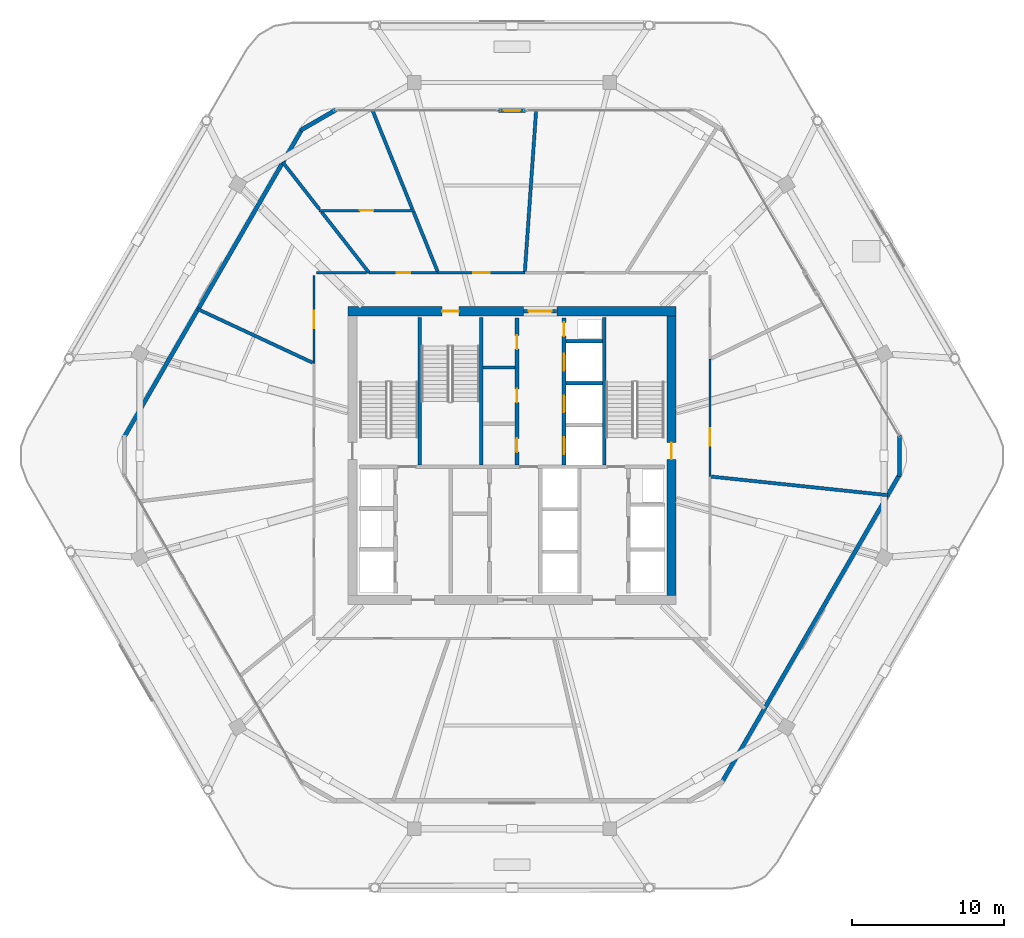
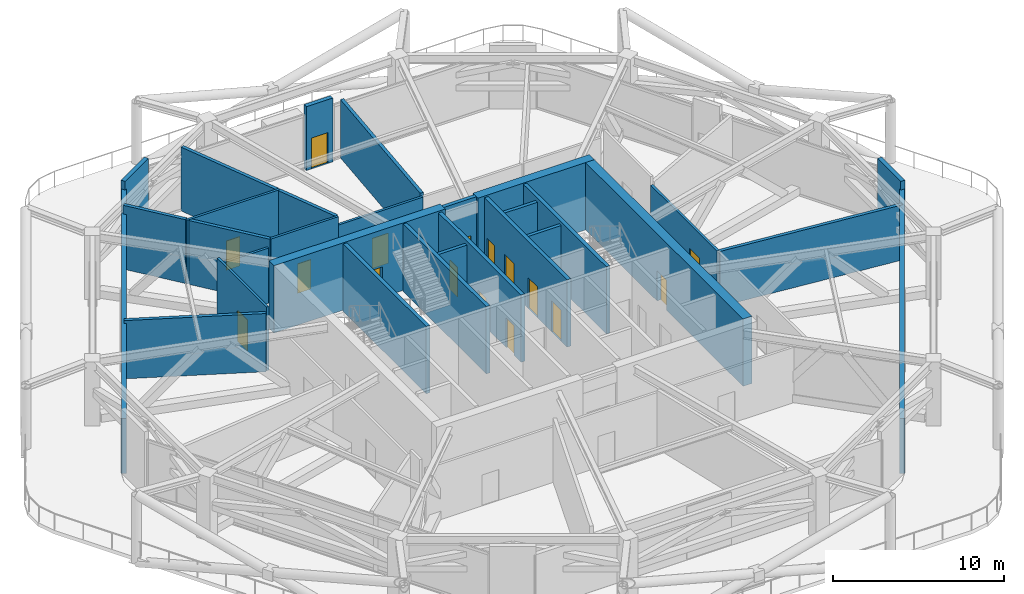
# One storey, part 14 of 20: 30 walls, 16 doors, 16 openings.
"""IFC4 building model written with IfcOpenShell, lengths in metres."""

from ifc_helpers import new_model, si_unit, direction, frame, frame_2d, origin, place, context, subcontext, project, spatial, rectangle, extrude, material, layer, layer_set, type_object, element, fill, save


model = new_model("IFC4")

# Units and contexts
model_context = context("Model", 3, precision=1e-05, world=origin(), true_north=direction((0.0, 1.0)))
body_context = subcontext(model_context, "Body", "Model", "MODEL_VIEW")
ifc_project = project(units=[si_unit("LENGTHUNIT", "METRE"), si_unit("AREAUNIT", "SQUARE_METRE"), si_unit("VOLUMEUNIT", "CUBIC_METRE"), si_unit("PLANEANGLEUNIT", "RADIAN"), si_unit("MASSUNIT", "GRAM", prefix="KILO")], contexts=[model_context])

# Site, building, storey
site_placement = place(None, origin())
site = spatial("IfcSite", under=ifc_project, at=site_placement, CompositionType="ELEMENT")
building_placement = place(site_placement, origin())
building = spatial("IfcBuilding", under=site, at=building_placement, Name="Zuhravey Tower", CompositionType="ELEMENT")
storey_placement = place(building_placement, frame((0.0, 0.0, 226.39990234375)))
storey = spatial("IfcBuildingStorey", under=building, at=storey_placement, Name="L57", CompositionType="ELEMENT", Elevation=226.39990234375)

# Wall
ifc_material_1 = material(Name="Concrete C50/60", Category="concrete")
ifc_layer_1 = layer(ifc_material_1, 0.60009765625)
ifc_layer_set_1 = layer_set([ifc_layer_1], Name="Concrete C50/60")
wall_type_1 = type_object("IfcWallType", Name="Core Shear Wall 600", PredefinedType="SHEAR", material=ifc_layer_set_1)
wall_1_placement = place(storey_placement, frame((46.800048828125, 41.5, 0.0), z_axis=(0.0, 0.0, 1.0), x_axis=(-1.0, 0.0, 0.0)))
element("IfcWall", 1, at=wall_1_placement, inside=storey, type_object=wall_type_1, Name="L57 North-East Core Shear Wall CW60", PredefinedType="SHEAR", context=body_context, shape_type="SweptSolid", body=[
    extrude(rectangle(XDim=7.85009765625, YDim=0.60009765625, at=frame_2d((3.925048828125, 0.0))), origin(), (0.0, 0.0, 1.0), 4.800048828125),
])

# Wall, opening, door
wall_2_placement = place(storey_placement, frame((36.75, 41.5, 0.0), z_axis=(0.0, 0.0, 1.0), x_axis=(-1.0, 0.0, 0.0)))
wall_2 = element("IfcWall", 2, at=wall_2_placement, inside=storey, type_object=wall_type_1, Name="L57 North-West Core Shear Wall CW60", PredefinedType="SHEAR", context=body_context, shape_type="SweptSolid", body=[
    extrude(rectangle(XDim=11.550048828125, YDim=0.60009765625, at=frame_2d((5.77490234375, 0.0))), origin(), (0.0, 0.0, 1.0), 4.800048828125),
])
opening_1_placement = place(wall_2_placement, frame((4.25, 0.0, 0.0)))
opening_1 = element("IfcOpeningElement", 3, at=opening_1_placement, cuts=wall_2, Name="Opening STD1", PredefinedType="OPENING", context=body_context, shape_type="SweptSolid", body=[
    extrude(rectangle(XDim=1.10009765625, YDim=2.14990234375, at=frame_2d((0.550048828125, 1.074951171875))), frame((0.0, 0.31201171875, 0.0), z_axis=(0.0, -1.0, 0.0), x_axis=(1.0, 0.0, 0.0)), (0.0, 0.0, 1.0), 0.6240234375),
])
ifc_material_2 = material(Name="Galvanised fire-rated steel leaf", Category="steel")
door_type_1 = type_object("IfcDoorType", Name="Protected Stair Fire Door 1100x2150", OperationType="NOTDEFINED", PredefinedType="USERDEFINED", material=ifc_material_2)
door_1_placement = place(opening_1_placement, origin())
door_1 = element("IfcDoor", 4, at=door_1_placement, inside=storey, type_object=door_type_1, Name="L57 Stair ST3 Door", ObjectType="EXITDOOR", OperationType="SINGLE_SWING_LEFT", OverallHeight=2.14990234375, OverallWidth=1.10009765625, PredefinedType="USERDEFINED", context=body_context, shape_type="SweptSolid", body=[
    extrude(rectangle(XDim=1.10009765625, YDim=2.14990234375, at=frame_2d((0.550048828125, 1.074951171875))), frame((0.0, 0.02490234375, 0.0), z_axis=(0.0, -1.0, 0.0), x_axis=(1.0, 0.0, 0.0)), (0.0, 0.0, 1.0), 0.050048828125),
])
fill(opening_1, door_1)

wall_3_placement = place(storey_placement, frame((46.5, 22.800048828125, 0.0), z_axis=(0.0, 0.0, 1.0), x_axis=(0.0, 1.0, 0.0)))
wall_3 = element("IfcWall", 5, at=wall_3_placement, inside=storey, type_object=wall_type_1, Name="L57 East Core Shear Wall CW60", PredefinedType="SHEAR", context=body_context, shape_type="SweptSolid", body=[
    extrude(rectangle(XDim=18.39990234375, YDim=0.60009765625, at=frame_2d((9.199951171875, 0.0))), origin(), (0.0, 0.0, 1.0), 4.800048828125),
])
opening_2_placement = place(wall_3_placement, frame((8.949951171875, 0.0, 0.0)))
opening_2 = element("IfcOpeningElement", 6, at=opening_2_placement, cuts=wall_3, Name="Opening STD1", PredefinedType="OPENING", context=body_context, shape_type="SweptSolid", body=[
    extrude(rectangle(XDim=1.10009765625, YDim=2.14990234375, at=frame_2d((0.550048828125, 1.074951171875))), frame((0.0, 0.31201171875, 0.0), z_axis=(0.0, -1.0, 0.0), x_axis=(1.0, 0.0, 0.0)), (0.0, 0.0, 1.0), 0.6240234375),
])
door_2_placement = place(opening_2_placement, origin())
door_2 = element("IfcDoor", 7, at=door_2_placement, inside=storey, type_object=door_type_1, Name="L57 Stair ST2 Door", ObjectType="EXITDOOR", OperationType="SINGLE_SWING_RIGHT", OverallHeight=2.14990234375, OverallWidth=1.10009765625, PredefinedType="USERDEFINED", context=body_context, shape_type="SweptSolid", body=[
    extrude(rectangle(XDim=1.10009765625, YDim=2.14990234375, at=frame_2d((0.550048828125, 1.074951171875))), frame((0.0, 0.02490234375, 0.0), z_axis=(0.0, -1.0, 0.0), x_axis=(1.0, 0.0, 0.0)), (0.0, 0.0, 1.0), 0.050048828125),
])
fill(opening_2, door_2)

ifc_material_3 = material(Name="Gypsum fire-rated stud partition")
ifc_layer_2 = layer(ifc_material_3, 0.159912109375)
ifc_layer_set_2 = layer_set([ifc_layer_2], Name="Gypsum fire-rated stud partition")
wall_type_2 = type_object("IfcWallType", Name="Corridor Fire Partition 160", PredefinedType="PARTITIONING", material=ifc_layer_set_2)
wall_4_placement = place(storey_placement, frame((36.84130859375, 44.030029296875, 0.0), z_axis=(0.0, 0.0, 1.0), x_axis=(-1.0, 0.0, 0.0)))
wall_4 = element("IfcWall", 8, at=wall_4_placement, inside=storey, type_object=wall_type_2, Name="L57 IW16 Partition 020", PredefinedType="PARTITIONING", context=body_context, shape_type="SweptSolid", body=[
    extrude(rectangle(XDim=5.70166015625, YDim=0.159912109375, at=frame_2d((2.850830078125, 0.0))), origin(), (0.0, 0.0, 1.0), 3.9501953125),
])
opening_3_placement = place(wall_4_placement, frame((2.30078125, 0.0, 0.0)))
opening_3 = element("IfcOpeningElement", 9, at=opening_3_placement, cuts=wall_4, Name="Opening STD1", PredefinedType="OPENING", context=body_context, shape_type="SweptSolid", body=[
    extrude(rectangle(XDim=1.10009765625, YDim=2.14990234375, at=frame_2d((0.550048828125, 1.074951171875))), frame((0.0, 0.092041015625, 0.0), z_axis=(0.0, -1.0, 0.0), x_axis=(1.0, 0.0, 0.0)), (0.0, 0.0, 1.0), 0.183837890625),
])
door_3_placement = place(opening_3_placement, frame((1.10009765625, 0.0, 0.0), z_axis=(0.0, 0.0, 1.0), x_axis=(-1.0, 0.0, 0.0)))
door_3 = element("IfcDoor", 10, at=door_3_placement, inside=storey, type_object=door_type_1, Name="L57 Door 020.1", ObjectType="EXITDOOR", OperationType="SINGLE_SWING_LEFT", OverallHeight=2.14990234375, OverallWidth=1.10009765625, PredefinedType="USERDEFINED", context=body_context, shape_type="SweptSolid", body=[
    extrude(rectangle(XDim=1.10009765625, YDim=2.14990234375, at=frame_2d((0.550048828125, 1.074951171875))), frame((0.0, 0.02490234375, 0.0), z_axis=(0.0, -1.0, 0.0), x_axis=(1.0, 0.0, 0.0)), (0.0, 0.0, 1.0), 0.050048828125),
])
fill(opening_3, door_3)

wall_5_placement = place(storey_placement, frame((23.29638671875, 48.1298828125, 0.0), z_axis=(0.0, 0.0, 1.0), x_axis=(1.0, 0.0, 0.0)))
wall_5 = element("IfcWall", 11, at=wall_5_placement, inside=storey, type_object=wall_type_2, Name="L57 IW16 Partition 021", PredefinedType="PARTITIONING", context=body_context, shape_type="SweptSolid", body=[
    extrude(rectangle(XDim=6.27294921875, YDim=0.159912109375, at=frame_2d((3.136474609375, 0.0))), origin(), (0.0, 0.0, 1.0), 4.550048828125),
])
opening_4_placement = place(wall_5_placement, frame((2.6865234375, 0.0, 0.0)))
opening_4 = element("IfcOpeningElement", 12, at=opening_4_placement, cuts=wall_5, Name="Opening RSD1", PredefinedType="OPENING", context=body_context, shape_type="SweptSolid", body=[
    extrude(rectangle(XDim=0.89990234375, YDim=2.10009765625, at=frame_2d((0.449951171875, 1.050048828125))), frame((0.0, 0.092041015625, 0.0), z_axis=(0.0, -1.0, 0.0), x_axis=(1.0, 0.0, 0.0)), (0.0, 0.0, 1.0), 0.183837890625),
])
ifc_material_4 = material(Name="Galvanised fire-rated steel access leaf", Category="steel")
door_type_2 = type_object("IfcDoorType", Name="Riser & Shaft Access Fire Door 900x2100", OperationType="NOTDEFINED", PredefinedType="DOOR", material=ifc_material_4)
door_4_placement = place(opening_4_placement, origin())
door_4 = element("IfcDoor", 13, at=door_4_placement, inside=storey, type_object=door_type_2, Name="L57 Door 021.1", OperationType="SINGLE_SWING_RIGHT", OverallHeight=2.10009765625, OverallWidth=0.89990234375, PredefinedType="DOOR", context=body_context, shape_type="SweptSolid", body=[
    extrude(rectangle(XDim=0.89990234375, YDim=2.10009765625, at=frame_2d((0.449951171875, 1.050048828125))), frame((0.0, 0.02490234375, 0.0), z_axis=(0.0, -1.0, 0.0), x_axis=(1.0, 0.0, 0.0)), (0.0, 0.0, 1.0), 0.050048828125),
])
fill(opening_4, door_4)

wall_6_placement = place(storey_placement, frame((31.1396484375, 44.030029296875, 0.0), z_axis=(0.0, 0.0, 1.0), x_axis=(-1.0, 0.0, 0.0)))
wall_6 = element("IfcWall", 14, at=wall_6_placement, inside=storey, type_object=wall_type_2, Name="L57 IW16 Partition 022", PredefinedType="PARTITIONING", context=body_context, shape_type="SweptSolid", body=[
    extrude(rectangle(XDim=4.53857421875, YDim=0.159912109375, at=frame_2d((2.269287109375, 0.0))), origin(), (0.0, 0.0, 1.0), 4.550048828125),
])
opening_5_placement = place(wall_6_placement, frame((1.8193359375, 0.0, 0.0)))
opening_5 = element("IfcOpeningElement", 15, at=opening_5_placement, cuts=wall_6, Name="Opening RSD1", PredefinedType="OPENING", context=body_context, shape_type="SweptSolid", body=[
    extrude(rectangle(XDim=0.89990234375, YDim=2.10009765625, at=frame_2d((0.449951171875, 1.050048828125))), frame((0.0, 0.092041015625, 0.0), z_axis=(0.0, -1.0, 0.0), x_axis=(1.0, 0.0, 0.0)), (0.0, 0.0, 1.0), 0.183837890625),
])
door_5_placement = place(opening_5_placement, frame((0.89990234375, 0.0, 0.0), z_axis=(0.0, 0.0, 1.0), x_axis=(-1.0, 0.0, 0.0)))
door_5 = element("IfcDoor", 16, at=door_5_placement, inside=storey, type_object=door_type_2, Name="L57 Door 022.1", OperationType="SINGLE_SWING_LEFT", OverallHeight=2.10009765625, OverallWidth=0.89990234375, PredefinedType="DOOR", context=body_context, shape_type="SweptSolid", body=[
    extrude(rectangle(XDim=0.89990234375, YDim=2.10009765625, at=frame_2d((0.449951171875, 1.050048828125))), frame((0.0, 0.02490234375, 0.0), z_axis=(0.0, -1.0, 0.0), x_axis=(1.0, 0.0, 0.0)), (0.0, 0.0, 1.0), 0.050048828125),
])
fill(opening_5, door_5)

wall_7_placement = place(storey_placement, frame((22.969970703125, 43.85009765625, 0.0), z_axis=(0.0, 0.0, 1.0), x_axis=(0.0, -1.0, 0.0)))
wall_7 = element("IfcWall", 17, at=wall_7_placement, inside=storey, type_object=wall_type_2, Name="L57 IW16 Partition 023", PredefinedType="PARTITIONING", context=body_context, shape_type="SweptSolid", body=[
    extrude(rectangle(XDim=5.774169921875, YDim=0.159912109375, at=frame_2d((2.88720703125, 0.0))), origin(), (0.0, 0.0, 1.0), 4.550048828125),
])
opening_6_placement = place(wall_7_placement, frame((2.31201171875, 0.0, 0.0)))
opening_6 = element("IfcOpeningElement", 18, at=opening_6_placement, cuts=wall_7, Name="Opening CLD1", PredefinedType="OPENING", context=body_context, shape_type="SweptSolid", body=[
    extrude(rectangle(XDim=1.14990234375, YDim=2.199951171875, at=frame_2d((0.574951171875, 1.10009765625))), frame((0.0, 0.092041015625, 0.0), z_axis=(0.0, -1.0, 0.0), x_axis=(1.0, 0.0, 0.0)), (0.0, 0.0, 1.0), 0.183837890625),
])
ifc_material_5 = material(Name="Acoustic timber leaf with vision lite", Category="wood")
door_type_3 = type_object("IfcDoorType", Name="Classroom Acoustic Door 1150x2200", OperationType="NOTDEFINED", PredefinedType="DOOR", material=ifc_material_5)
door_6_placement = place(opening_6_placement, frame((1.14990234375, 0.0, 0.0), z_axis=(0.0, 0.0, 1.0), x_axis=(-1.0, 0.0, 0.0)))
door_6 = element("IfcDoor", 19, at=door_6_placement, inside=storey, type_object=door_type_3, Name="L57 Door 023.1", OperationType="SINGLE_SWING_RIGHT", OverallHeight=2.199951171875, OverallWidth=1.14990234375, PredefinedType="DOOR", context=body_context, shape_type="SweptSolid", body=[
    extrude(rectangle(XDim=1.14990234375, YDim=2.199951171875, at=frame_2d((0.574951171875, 1.10009765625))), frame((0.0, 0.02490234375, 0.0), z_axis=(0.0, -1.0, 0.0), x_axis=(1.0, 0.0, 0.0)), (0.0, 0.0, 1.0), 0.050048828125),
])
fill(opening_6, door_6)

wall_8_placement = place(storey_placement, frame((49.030029296875, 30.630615234375, 0.0), z_axis=(0.0, 0.0, 1.0), x_axis=(0.0, 1.0, 0.0)))
wall_8 = element("IfcWall", 20, at=wall_8_placement, inside=storey, type_object=wall_type_2, Name="L57 IW16 Partition 030", PredefinedType="PARTITIONING", context=body_context, shape_type="SweptSolid", body=[
    extrude(rectangle(XDim=7.724609375, YDim=0.159912109375, at=frame_2d((3.8623046875, 0.0))), origin(), (0.0, 0.0, 1.0), 3.9501953125),
])
opening_7_placement = place(wall_8_placement, frame((2.02099609375, 0.0, 0.0)))
opening_7 = element("IfcOpeningElement", 21, at=opening_7_placement, cuts=wall_8, Name="Opening CLD1", PredefinedType="OPENING", context=body_context, shape_type="SweptSolid", body=[
    extrude(rectangle(XDim=1.14990234375, YDim=2.199951171875, at=frame_2d((0.574951171875, 1.10009765625))), frame((0.0, 0.092041015625, 0.0), z_axis=(0.0, -1.0, 0.0), x_axis=(1.0, 0.0, 0.0)), (0.0, 0.0, 1.0), 0.183837890625),
])
door_7_placement = place(opening_7_placement, frame((1.14990234375, 0.0, 0.0), z_axis=(0.0, 0.0, 1.0), x_axis=(-1.0, 0.0, 0.0)))
door_7 = element("IfcDoor", 22, at=door_7_placement, inside=storey, type_object=door_type_3, Name="L57 Door 030.1", OperationType="SINGLE_SWING_LEFT", OverallHeight=2.199951171875, OverallWidth=1.14990234375, PredefinedType="DOOR", context=body_context, shape_type="SweptSolid", body=[
    extrude(rectangle(XDim=1.14990234375, YDim=2.199951171875, at=frame_2d((0.574951171875, 1.10009765625))), frame((0.0, 0.02490234375, 0.0), z_axis=(0.0, -1.0, 0.0), x_axis=(1.0, 0.0, 0.0)), (0.0, 0.0, 1.0), 0.050048828125),
])
fill(opening_7, door_7)

# Walls
wall_9_placement = place(storey_placement, frame((26.435791015625, 44.050048828125, 0.0), z_axis=(0.0, 0.0, 1.0), x_axis=(-1.0, 0.0, 0.0)))
element("IfcWall", 23, at=wall_9_placement, inside=storey, type_object=wall_type_2, Name="L57 IW16 Partition 054", PredefinedType="PARTITIONING", context=body_context, shape_type="SweptSolid", body=[
    extrude(rectangle(XDim=3.285888671875, YDim=0.159912109375, at=frame_2d((1.64306640625, 0.0))), origin(), (0.0, 0.0, 1.0), 3.9501953125),
])
ifc_material_6 = material(Name="Precast concrete C40/50", Category="concrete")
ifc_layer_3 = layer(ifc_material_6, 0.280029296875)
ifc_layer_set_3 = layer_set([ifc_layer_3], Name="Precast concrete C40/50")
wall_type_3 = type_object("IfcWallType", Name="Crown Architectural Wall 280", PredefinedType="SOLIDWALL", material=ifc_layer_set_3)
for number, where, z_axis, x_axis, name in (
    (24, (61.5458984375, 30.81982421875, 0.0), (0.0, 0.0, 1.0), (-0.499992521351, -0.866029721541, 0.0), "L57 Face 6 Plant Enclosure Wall EW28"),
    (25, (10.4541015625, 33.18017578125, 0.0), (0.0, 0.0, 1.0), (0.499992521351, 0.866029721541, 0.0), "L57 Face 3 Plant Enclosure Wall EW28"),
):
    element("IfcWall", number, at=place(storey_placement, frame(where, z_axis=z_axis, x_axis=x_axis)), inside=storey, type_object=wall_type_3, Name=name, PredefinedType="SOLIDWALL", context=body_context, shape_type="SweptSolid", body=[
        extrude(rectangle(XDim=23.501708984375, YDim=0.280029296875, at=frame_2d((11.7509765625, 0.0))), origin(), (0.0, 0.0, 1.0), 3.93017578125),
    ])
wall_10_placement = place(storey_placement, frame((22.0751953125, 53.403564453125, 0.0), z_axis=(0.0, 0.0, 1.0), x_axis=(0.866043331744, 0.499968946578, 0.0)))
element("IfcWall", 26, at=wall_10_placement, inside=storey, type_object=wall_type_3, Name="L57 Rounded Corner Closure Wall EW28-08", PredefinedType="SOLIDWALL", context=body_context, shape_type="SweptSolid", body=[
    extrude(rectangle(XDim=2.715087890625, YDim=0.280029296875, at=frame_2d((1.357421875, 0.0))), origin(), (0.0, 0.0, 1.0), 4.550048828125),
])

# Wall, opening, door
wall_11_placement = place(storey_placement, frame((35.10498046875, 54.713623046875, 0.0), z_axis=(0.0, 0.0, 1.0), x_axis=(1.0, 0.0, 0.0)))
wall_11 = element("IfcWall", 27, at=wall_11_placement, inside=storey, type_object=wall_type_3, Name="L57 Face 2 Facade Pier EW28-1", PredefinedType="SOLIDWALL", context=body_context, shape_type="SweptSolid", body=[
    extrude(rectangle(XDim=1.7900390625, YDim=0.280029296875, at=frame_2d((0.89501953125, 0.0))), origin(), (0.0, 0.0, 1.0), 4.550048828125),
])
opening_8_placement = place(wall_11_placement, frame((0.344970703125, 0.0, 0.0)))
opening_8 = element("IfcOpeningElement", 28, at=opening_8_placement, cuts=wall_11, Name="Opening BLD1", PredefinedType="OPENING", context=body_context, shape_type="SweptSolid", body=[
    extrude(rectangle(XDim=1.10009765625, YDim=2.199951171875, at=frame_2d((0.550048828125, 1.10009765625))), frame((0.0, 0.152099609375, 0.0), z_axis=(0.0, -1.0, 0.0), x_axis=(1.0, 0.0, 0.0)), (0.0, 0.0, 1.0), 0.303955078125),
])
ifc_material_7 = material(Name="Thermally broken aluminium and low-E glass", Category="aluminium")
door_type_4 = type_object("IfcDoorType", Name="Balcony & Sky-Tray Glazed Door 1100x2200", OperationType="NOTDEFINED", PredefinedType="DOOR", material=ifc_material_7)
door_8_placement = place(opening_8_placement, frame((1.10009765625, 0.0, 0.0), z_axis=(0.0, 0.0, 1.0), x_axis=(-1.0, 0.0, 0.0)))
door_8 = element("IfcDoor", 29, at=door_8_placement, inside=storey, type_object=door_type_4, Name="L57 Fire Safety Refuge Area North Terrace Door", OperationType="SINGLE_SWING_LEFT", OverallHeight=2.199951171875, OverallWidth=1.10009765625, PredefinedType="DOOR", context=body_context, shape_type="SweptSolid", body=[
    extrude(rectangle(XDim=1.10009765625, YDim=2.199951171875, at=frame_2d((0.550048828125, 1.10009765625))), frame((0.0, 0.02490234375, 0.0), z_axis=(0.0, -1.0, 0.0), x_axis=(1.0, 0.0, 0.0)), (0.0, 0.0, 1.0), 0.050048828125),
])
fill(opening_8, door_8)

# Wall
wall_12_placement = place(storey_placement, frame((61.49853515625, 33.357421875, 0.0), z_axis=(0.0, 0.0, 1.0), x_axis=(0.0, -1.0, 0.0)))
element("IfcWall", 30, at=wall_12_placement, inside=storey, type_object=wall_type_3, Name="L57 Rounded Corner Closure Wall EW28-12", PredefinedType="SOLIDWALL", context=body_context, shape_type="SweptSolid", body=[
    extrude(rectangle(XDim=2.71484375, YDim=0.280029296875, at=frame_2d((1.357421875, 0.0))), origin(), (0.0, 0.0, 1.0), 4.550048828125),
])

# Wall, opening, door
ifc_layer_4 = layer(ifc_material_1, 0.25)
ifc_layer_set_4 = layer_set([ifc_layer_4], Name="Concrete C50/60")
wall_type_4 = type_object("IfcWallType", Name="Firefighting Shaft & Stair Wall 250", PredefinedType="SOLIDWALL", material=ifc_layer_set_4)
wall_13_placement = place(storey_placement, frame((36.760009765625, 41.5, 0.0), z_axis=(0.0, 0.0, 1.0), x_axis=(1.0, 0.0, 0.0)))
wall_13 = element("IfcWall", 31, at=wall_13_placement, inside=storey, type_object=wall_type_4, Name="L57 FW25 Shaft Wall 002", PredefinedType="SOLIDWALL", context=body_context, shape_type="SweptSolid", body=[
    extrude(rectangle(XDim=2.179931640625, YDim=0.25, at=frame_2d((1.08984375, 0.0))), origin(), (0.0, 0.0, 1.0), 4.800048828125),
])
opening_9_placement = place(wall_13_placement, frame((0.340087890625, 0.0, 0.0)))
opening_9 = element("IfcOpeningElement", 32, at=opening_9_placement, cuts=wall_13, Name="Opening FFD1", PredefinedType="OPENING", context=body_context, shape_type="SweptSolid", body=[
    extrude(rectangle(XDim=1.5, YDim=2.14990234375, at=frame_2d((0.75, 1.074951171875))), frame((0.0, 0.136962890625, 0.0), z_axis=(0.0, -1.0, 0.0), x_axis=(1.0, 0.0, 0.0)), (0.0, 0.0, 1.0), 0.27392578125),
])
door_type_5 = type_object("IfcDoorType", Name="Firefighting Lobby Double Door 1500x2150", OperationType="DOUBLE_DOOR_SINGLE_SWING", PredefinedType="DOOR", material=ifc_material_2)
door_9_placement = place(opening_9_placement, origin())
door_9 = element("IfcDoor", 33, at=door_9_placement, inside=storey, type_object=door_type_5, Name="L57 North Lift Lobby Exit Door", OperationType="DOUBLE_DOOR_SINGLE_SWING", OverallHeight=2.14990234375, OverallWidth=1.5, PredefinedType="DOOR", context=body_context, shape_type="SweptSolid", body=[
    extrude(rectangle(XDim=1.5, YDim=2.14990234375, at=frame_2d((0.75, 1.074951171875))), frame((0.0, 0.02490234375, 0.0), z_axis=(0.0, -1.0, 0.0), x_axis=(1.0, 0.0, 0.0)), (0.0, 0.0, 1.0), 0.050048828125),
])
fill(opening_9, door_9)

# Walls
for number, where, z_axis, x_axis, name in (
    (34, (29.925048828125, 31.39990234375, 0.0), (0.0, 0.0, 1.0), (0.0, 1.0, 0.0), "L57 FW25 Shaft Wall 004"),
    (35, (33.97509765625, 31.39990234375, 0.0), (0.0, 0.0, 1.0), (0.0, 1.0, 0.0), "L57 FW25 Shaft Wall 005"),
    (36, (42.074951171875, 31.39990234375, 0.0), (0.0, 0.0, 1.0), (0.0, 1.0, 0.0), "L57 FW25 Shaft Wall 006"),
):
    element("IfcWall", number, at=place(storey_placement, frame(where, z_axis=z_axis, x_axis=x_axis)), inside=storey, type_object=wall_type_4, Name=name, PredefinedType="SOLIDWALL", context=body_context, shape_type="SweptSolid", body=[
        extrude(rectangle(XDim=9.7001953125, YDim=0.25, at=frame_2d((4.85009765625, 0.0))), origin(), (0.0, 0.0, 1.0), 4.800048828125),
    ])

# Wall, openings, doors
wall_14_placement = place(storey_placement, frame((36.324951171875, 31.39990234375, 0.0), z_axis=(0.0, 0.0, 1.0), x_axis=(0.0, 1.0, 0.0)))
wall_14 = element("IfcWall", 37, at=wall_14_placement, inside=storey, type_object=wall_type_4, Name="L57 FW25 Shaft Wall 007", PredefinedType="SOLIDWALL", context=body_context, shape_type="SweptSolid", body=[
    extrude(rectangle(XDim=9.650146484375, YDim=0.25, at=frame_2d((4.8251953125, 0.0))), origin(), (0.0, 0.0, 1.0), 4.800048828125),
])
opening_10_placement = place(wall_14_placement, frame((0.840087890625, 0.0, 0.0)))
opening_10 = element("IfcOpeningElement", 38, at=opening_10_placement, cuts=wall_14, Name="Opening RSD1", PredefinedType="OPENING", context=body_context, shape_type="SweptSolid", body=[
    extrude(rectangle(XDim=0.89990234375, YDim=2.10009765625, at=frame_2d((0.449951171875, 1.050048828125))), frame((0.0, 0.136962890625, 0.0), z_axis=(0.0, -1.0, 0.0), x_axis=(1.0, 0.0, 0.0)), (0.0, 0.0, 1.0), 0.27392578125),
])
opening_11_placement = place(wall_14_placement, frame((4.10009765625, 0.0, 0.0)))
opening_11 = element("IfcOpeningElement", 39, at=opening_11_placement, cuts=wall_14, Name="Opening RSD1", PredefinedType="OPENING", context=body_context, shape_type="SweptSolid", body=[
    extrude(rectangle(XDim=0.89990234375, YDim=2.10009765625, at=frame_2d((0.449951171875, 1.050048828125))), frame((0.0, 0.136962890625, 0.0), z_axis=(0.0, -1.0, 0.0), x_axis=(1.0, 0.0, 0.0)), (0.0, 0.0, 1.0), 0.27392578125),
])
opening_12_placement = place(wall_14_placement, frame((7.610107421875, 0.0, 0.0)))
opening_12 = element("IfcOpeningElement", 40, at=opening_12_placement, cuts=wall_14, Name="Opening RSD1", PredefinedType="OPENING", context=body_context, shape_type="SweptSolid", body=[
    extrude(rectangle(XDim=0.89990234375, YDim=2.10009765625, at=frame_2d((0.449951171875, 1.050048828125))), frame((0.0, 0.136962890625, 0.0), z_axis=(0.0, -1.0, 0.0), x_axis=(1.0, 0.0, 0.0)), (0.0, 0.0, 1.0), 0.27392578125),
])
door_10_placement = place(opening_10_placement, origin())
door_10 = element("IfcDoor", 41, at=door_10_placement, inside=storey, type_object=door_type_2, Name="L57 Core Staff WC Door", OperationType="SINGLE_SWING_LEFT", OverallHeight=2.10009765625, OverallWidth=0.89990234375, PredefinedType="DOOR", context=body_context, shape_type="SweptSolid", body=[
    extrude(rectangle(XDim=0.89990234375, YDim=2.10009765625, at=frame_2d((0.449951171875, 1.050048828125))), frame((0.0, 0.02490234375, 0.0), z_axis=(0.0, -1.0, 0.0), x_axis=(1.0, 0.0, 0.0)), (0.0, 0.0, 1.0), 0.050048828125),
])
fill(opening_10, door_10)
door_11_placement = place(opening_11_placement, origin())
door_11 = element("IfcDoor", 42, at=door_11_placement, inside=storey, type_object=door_type_2, Name="L57 IT and Comms Room Door", OperationType="SINGLE_SWING_RIGHT", OverallHeight=2.10009765625, OverallWidth=0.89990234375, PredefinedType="DOOR", context=body_context, shape_type="SweptSolid", body=[
    extrude(rectangle(XDim=0.89990234375, YDim=2.10009765625, at=frame_2d((0.449951171875, 1.050048828125))), frame((0.0, 0.02490234375, 0.0), z_axis=(0.0, -1.0, 0.0), x_axis=(1.0, 0.0, 0.0)), (0.0, 0.0, 1.0), 0.050048828125),
])
fill(opening_11, door_11)
door_12_placement = place(opening_12_placement, origin())
door_12 = element("IfcDoor", 43, at=door_12_placement, inside=storey, type_object=door_type_2, Name="L57 Janitor Linen Store Door", OperationType="SINGLE_SWING_LEFT", OverallHeight=2.10009765625, OverallWidth=0.89990234375, PredefinedType="DOOR", context=body_context, shape_type="SweptSolid", body=[
    extrude(rectangle(XDim=0.89990234375, YDim=2.10009765625, at=frame_2d((0.449951171875, 1.050048828125))), frame((0.0, 0.02490234375, 0.0), z_axis=(0.0, -1.0, 0.0), x_axis=(1.0, 0.0, 0.0)), (0.0, 0.0, 1.0), 0.050048828125),
])
fill(opening_12, door_12)

wall_15_placement = place(storey_placement, frame((39.425048828125, 31.39990234375, 0.0), z_axis=(0.0, 0.0, 1.0), x_axis=(0.0, 1.0, 0.0)))
wall_15 = element("IfcWall", 44, at=wall_15_placement, inside=storey, type_object=wall_type_4, Name="L57 FW25 Shaft Wall 008", PredefinedType="SOLIDWALL", context=body_context, shape_type="SweptSolid", body=[
    extrude(rectangle(XDim=9.650146484375, YDim=0.25, at=frame_2d((4.8251953125, 0.0))), origin(), (0.0, 0.0, 1.0), 4.800048828125),
])
opening_13_placement = place(wall_15_placement, frame((0.699951171875, 0.0, 0.0)))
opening_13 = element("IfcOpeningElement", 45, at=opening_13_placement, cuts=wall_15, Name="Opening LD1", PredefinedType="OPENING", context=body_context, shape_type="SweptSolid", body=[
    extrude(rectangle(XDim=1.10009765625, YDim=2.199951171875, at=frame_2d((0.550048828125, 1.10009765625))), frame((0.0, 0.136962890625, 0.0), z_axis=(0.0, -1.0, 0.0), x_axis=(1.0, 0.0, 0.0)), (0.0, 0.0, 1.0), 0.27392578125),
])
opening_14_placement = place(wall_15_placement, frame((3.449951171875, 0.0, 0.0)))
opening_14 = element("IfcOpeningElement", 46, at=opening_14_placement, cuts=wall_15, Name="Opening LD1", PredefinedType="OPENING", context=body_context, shape_type="SweptSolid", body=[
    extrude(rectangle(XDim=1.10009765625, YDim=2.199951171875, at=frame_2d((0.550048828125, 1.10009765625))), frame((0.0, 0.136962890625, 0.0), z_axis=(0.0, -1.0, 0.0), x_axis=(1.0, 0.0, 0.0)), (0.0, 0.0, 1.0), 0.27392578125),
])
opening_15_placement = place(wall_15_placement, frame((6.199951171875, 0.0, 0.0)))
opening_15 = element("IfcOpeningElement", 47, at=opening_15_placement, cuts=wall_15, Name="Opening LD1", PredefinedType="OPENING", context=body_context, shape_type="SweptSolid", body=[
    extrude(rectangle(XDim=1.10009765625, YDim=2.199951171875, at=frame_2d((0.550048828125, 1.10009765625))), frame((0.0, 0.136962890625, 0.0), z_axis=(0.0, -1.0, 0.0), x_axis=(1.0, 0.0, 0.0)), (0.0, 0.0, 1.0), 0.27392578125),
])
opening_16_placement = place(wall_15_placement, frame((8.469970703125, 0.0, 0.0)))
opening_16 = element("IfcOpeningElement", 48, at=opening_16_placement, cuts=wall_15, Name="Opening RSD1", PredefinedType="OPENING", context=body_context, shape_type="SweptSolid", body=[
    extrude(rectangle(XDim=0.89990234375, YDim=2.10009765625, at=frame_2d((0.449951171875, 1.050048828125))), frame((0.0, 0.136962890625, 0.0), z_axis=(0.0, -1.0, 0.0), x_axis=(1.0, 0.0, 0.0)), (0.0, 0.0, 1.0), 0.27392578125),
])
ifc_material_8 = material(Name="Brushed stainless steel", Category="steel")
door_type_6 = type_object("IfcDoorType", Name="Lift Landing Sliding Door 1100x2200", OperationType="DOUBLE_DOOR_SLIDING", PredefinedType="DOOR", material=ifc_material_8)
door_13_placement = place(opening_13_placement, origin())
door_13 = element("IfcDoor", 49, at=door_13_placement, inside=storey, type_object=door_type_6, Name="L57 Lift PL7 Landing Door", OperationType="DOUBLE_DOOR_SLIDING", OverallHeight=2.199951171875, OverallWidth=1.10009765625, PredefinedType="DOOR", context=body_context, shape_type="SweptSolid", body=[
    extrude(rectangle(XDim=1.10009765625, YDim=2.199951171875, at=frame_2d((0.550048828125, 1.10009765625))), frame((0.0, 0.02490234375, 0.0), z_axis=(0.0, -1.0, 0.0), x_axis=(1.0, 0.0, 0.0)), (0.0, 0.0, 1.0), 0.050048828125),
])
fill(opening_13, door_13)
door_14_placement = place(opening_14_placement, origin())
door_14 = element("IfcDoor", 50, at=door_14_placement, inside=storey, type_object=door_type_6, Name="L57 Lift PL8 Landing Door", OperationType="DOUBLE_DOOR_SLIDING", OverallHeight=2.199951171875, OverallWidth=1.10009765625, PredefinedType="DOOR", context=body_context, shape_type="SweptSolid", body=[
    extrude(rectangle(XDim=1.10009765625, YDim=2.199951171875, at=frame_2d((0.550048828125, 1.10009765625))), frame((0.0, 0.02490234375, 0.0), z_axis=(0.0, -1.0, 0.0), x_axis=(1.0, 0.0, 0.0)), (0.0, 0.0, 1.0), 0.050048828125),
])
fill(opening_14, door_14)
door_15_placement = place(opening_15_placement, origin())
door_15 = element("IfcDoor", 51, at=door_15_placement, inside=storey, type_object=door_type_6, Name="L57 Lift PL9 Landing Door", OperationType="DOUBLE_DOOR_SLIDING", OverallHeight=2.199951171875, OverallWidth=1.10009765625, PredefinedType="DOOR", context=body_context, shape_type="SweptSolid", body=[
    extrude(rectangle(XDim=1.10009765625, YDim=2.199951171875, at=frame_2d((0.550048828125, 1.10009765625))), frame((0.0, 0.02490234375, 0.0), z_axis=(0.0, -1.0, 0.0), x_axis=(1.0, 0.0, 0.0)), (0.0, 0.0, 1.0), 0.050048828125),
])
fill(opening_15, door_15)
door_16_placement = place(opening_16_placement, origin())
door_16 = element("IfcDoor", 52, at=door_16_placement, inside=storey, type_object=door_type_2, Name="L57 North Riser Door", OperationType="SINGLE_SWING_RIGHT", OverallHeight=2.10009765625, OverallWidth=0.89990234375, PredefinedType="DOOR", context=body_context, shape_type="SweptSolid", body=[
    extrude(rectangle(XDim=0.89990234375, YDim=2.10009765625, at=frame_2d((0.449951171875, 1.050048828125))), frame((0.0, 0.02490234375, 0.0), z_axis=(0.0, -1.0, 0.0), x_axis=(1.0, 0.0, 0.0)), (0.0, 0.0, 1.0), 0.050048828125),
])
fill(opening_16, door_16)

# Walls
ifc_material_9 = material(Name="Gypsum acoustic stud assembly")
ifc_layer_5 = layer(ifc_material_9, 0.219970703125)
ifc_layer_set_5 = layer_set([ifc_layer_5], Name="Gypsum acoustic stud assembly")
wall_type_5 = type_object("IfcWallType", Name="School Acoustic Compartment Wall 220", PredefinedType="PARTITIONING", material=ifc_layer_set_5)
wall_16_placement = place(storey_placement, frame((34.10791015625, 37.800048828125, 0.0), z_axis=(0.0, 0.0, 1.0), x_axis=(1.0, 0.0, 0.0)))
element("IfcWall", 53, at=wall_16_placement, inside=storey, type_object=wall_type_5, Name="L57 IW22 Partition 033", PredefinedType="PARTITIONING", context=body_context, shape_type="SweptSolid", body=[
    extrude(rectangle(XDim=2.083984375, YDim=0.219970703125, at=frame_2d((1.0419921875, 0.0))), origin(), (0.0, 0.0, 1.0), 4.550048828125),
])
for number, where, z_axis, x_axis, name in (
    (54, (39.55810546875, 36.77490234375, 0.0), (0.0, 0.0, 1.0), (1.0, 0.0, 0.0), "L57 IW22 Partition 035"),
    (55, (39.55810546875, 39.52490234375, 0.0), (0.0, 0.0, 1.0), (1.0, 0.0, 0.0), "L57 IW22 Partition 036"),
):
    element("IfcWall", number, at=place(storey_placement, frame(where, z_axis=z_axis, x_axis=x_axis)), inside=storey, type_object=wall_type_5, Name=name, PredefinedType="PARTITIONING", context=body_context, shape_type="SweptSolid", body=[
        extrude(rectangle(XDim=2.3837890625, YDim=0.219970703125, at=frame_2d((1.19189453125, 0.0))), origin(), (0.0, 0.0, 1.0), 4.550048828125),
    ])
wall_17_placement = place(storey_placement, frame((36.847412109375, 44.117919921875, 0.0), z_axis=(0.0, 0.0, 1.0), x_axis=(0.069760507751, 0.997563768166, 0.0)))
element("IfcWall", 56, at=wall_17_placement, inside=storey, type_object=wall_type_5, Name="L57 IW22 Partition 041", PredefinedType="PARTITIONING", context=body_context, shape_type="SweptSolid", body=[
    extrude(rectangle(XDim=10.62158203125, YDim=0.219970703125, at=frame_2d((5.310791015625, 0.0))), origin(), (0.0, 0.0, 1.0), 4.150146484375),
])
wall_18_placement = place(storey_placement, frame((31.10400390625, 44.117919921875, 0.0), z_axis=(0.0, 0.0, 1.0), x_axis=(-0.374610881622, 0.927182122007, 0.0)))
element("IfcWall", 57, at=wall_18_placement, inside=storey, type_object=wall_type_5, Name="L57 IW22 Partition 042", PredefinedType="PARTITIONING", context=body_context, shape_type="SweptSolid", body=[
    extrude(rectangle(XDim=4.232177734375, YDim=0.219970703125, at=frame_2d((2.1162109375, 0.0))), origin(), (0.0, 0.0, 1.0), 4.550048828125),
])
wall_19_placement = place(storey_placement, frame((29.447509765625, 48.218017578125, 0.0), z_axis=(0.0, 0.0, 1.0), x_axis=(-0.37462092043, 0.927178065949, 0.0)))
element("IfcWall", 58, at=wall_19_placement, inside=storey, type_object=wall_type_5, Name="L57 IW22 Partition 043", PredefinedType="PARTITIONING", context=body_context, shape_type="SweptSolid", body=[
    extrude(rectangle(XDim=7.005859375, YDim=0.219970703125, at=frame_2d((3.5029296875, 0.0))), origin(), (0.0, 0.0, 1.0), 4.550048828125),
])
wall_20_placement = place(storey_placement, frame((26.60107421875, 44.030029296875, 0.0), z_axis=(0.0, 0.0, 1.0), x_axis=(-0.615665444552, 0.788007652491, 0.0)))
element("IfcWall", 59, at=wall_20_placement, inside=storey, type_object=wall_type_5, Name="L57 IW22 Partition 044", PredefinedType="PARTITIONING", context=body_context, shape_type="SweptSolid", body=[
    extrude(rectangle(XDim=5.09130859375, YDim=0.219970703125, at=frame_2d((2.545654296875, 0.0))), origin(), (0.0, 0.0, 1.0), 4.550048828125),
])
wall_21_placement = place(storey_placement, frame((23.3291015625, 48.218017578125, 0.0), z_axis=(0.0, 0.0, 1.0), x_axis=(-0.615652509958, 0.788017758038, 0.0)))
element("IfcWall", 60, at=wall_21_placement, inside=storey, type_object=wall_type_5, Name="L57 IW22 Partition 045", PredefinedType="PARTITIONING", context=body_context, shape_type="SweptSolid", body=[
    extrude(rectangle(XDim=3.91650390625, YDim=0.219970703125, at=frame_2d((1.958251953125, 0.0))), origin(), (0.0, 0.0, 1.0), 4.550048828125),
])
wall_22_placement = place(storey_placement, frame((22.882080078125, 38.1171875, 0.0), z_axis=(0.0, 0.0, 1.0), x_axis=(-0.906320179063, 0.422591685938, 0.0)))
element("IfcWall", 61, at=wall_22_placement, inside=storey, type_object=wall_type_5, Name="L57 IW22 Partition 046", PredefinedType="PARTITIONING", context=body_context, shape_type="SweptSolid", body=[
    extrude(rectangle(XDim=8.326171875, YDim=0.219970703125, at=frame_2d((4.1630859375, 0.0))), origin(), (0.0, 0.0, 1.0), 4.150146484375),
])
wall_23_placement = place(storey_placement, frame((49.117919921875, 30.62109375, 0.0), z_axis=(0.0, 0.0, 1.0), x_axis=(0.994523431137, -0.104513850376, 0.0)))
element("IfcWall", 62, at=wall_23_placement, inside=storey, type_object=wall_type_5, Name="L57 IW22 Partition 052", PredefinedType="PARTITIONING", context=body_context, shape_type="SweptSolid", body=[
    extrude(rectangle(XDim=11.6728515625, YDim=0.219970703125, at=frame_2d((5.83642578125, 0.0))), origin(), (0.0, 0.0, 1.0), 3.93017578125),
])

save(model, "model.ifc")
